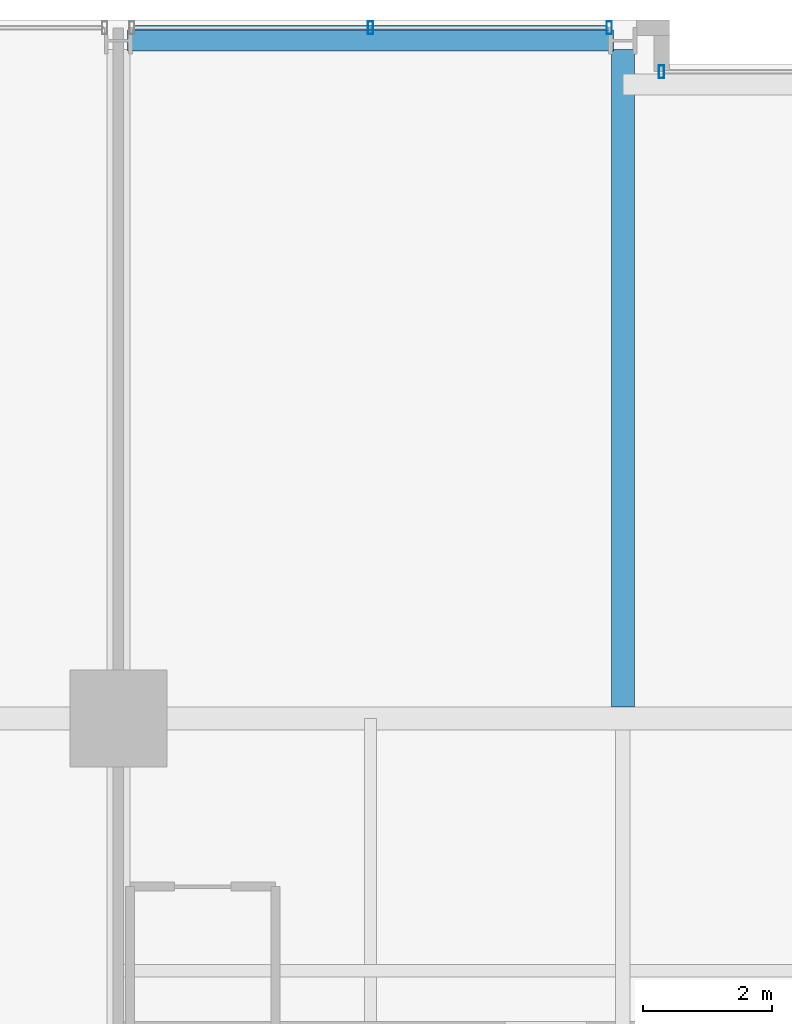
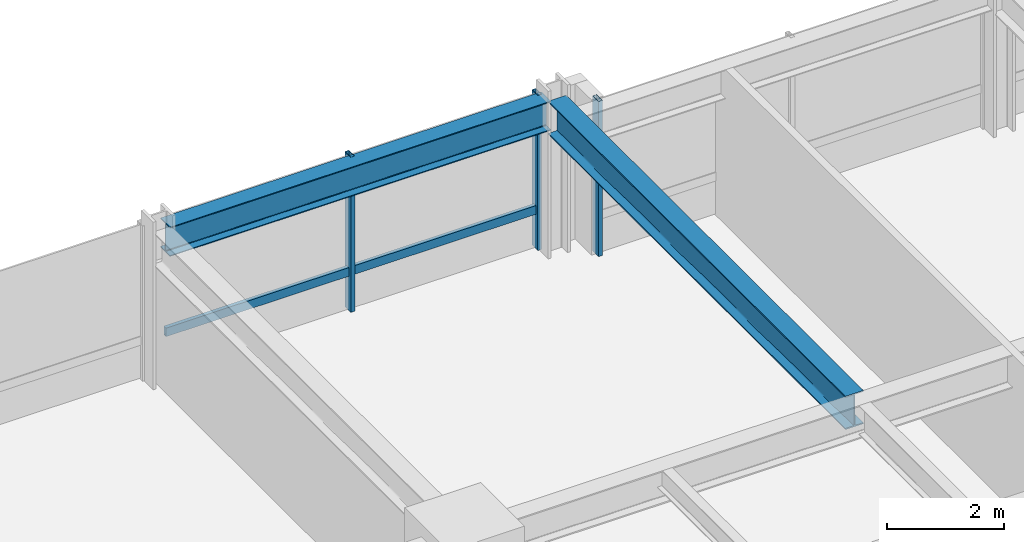
# One storey, part 21 of 33: 4 members, 2 beams, 2 elements without a shape of their own.
"""IFC4 building model written with IfcOpenShell, lengths in metres."""

from ifc_helpers import new_model, si_unit, direction, frame, origin, origin_2d, place, context, subcontext, project, spatial, hollow_rectangle, i_section, extrude, material, layer, layer_set, material_profile, profile_set, type_object, element, aggregate, save


model = new_model("IFC4")

# Units and contexts
model_context = context("Model", 3, precision=1e-05, world=origin(), true_north=direction((0.0, 1.0)))
body_context = subcontext(model_context, "Body", "Model", "MODEL_VIEW")
ifc_project = project(units=[si_unit("LENGTHUNIT", "METRE"), si_unit("AREAUNIT", "SQUARE_METRE"), si_unit("VOLUMEUNIT", "CUBIC_METRE"), si_unit("PLANEANGLEUNIT", "RADIAN"), si_unit("MASSUNIT", "GRAM", prefix="KILO")], contexts=[model_context])

# Site, building, storey
site_placement = place(None, origin())
site = spatial("IfcSite", under=ifc_project, at=site_placement, CompositionType="ELEMENT")
building_placement = place(site_placement, origin())
building = spatial("IfcBuilding", under=site, at=building_placement, Name="Drelvath Grand Hotel", CompositionType="ELEMENT")
storey_placement = place(building_placement, frame((0.0, 0.0, 119.800048828125)))
storey = spatial("IfcBuildingStorey", under=building, at=storey_placement, Name="L30", CompositionType="ELEMENT", Elevation=119.800048828125)

# Curtain wall, members
ifc_material_1 = material(Name="Champagne Bronze Anodised Aluminium Frame", Category="aluminium")
ifc_layer = layer(ifc_material_1, 0.199951171875)
ifc_layer_set = layer_set([ifc_layer], Name="Champagne Bronze Anodised Aluminium Frame")
curtain_wall_type = type_object("IfcCurtainWallType", Name="Stick Curtain Wall CW-03 Champagne Bronze Mid-Rise", PredefinedType="NOTDEFINED", material=ifc_layer_set)
curtain_wall_1_placement = place(storey_placement, origin())
curtain_wall_1 = element("IfcCurtainWall", 1, at=curtain_wall_1_placement, inside=storey, type_object=curtain_wall_type, Name="L30 CW-03 Curtain Wall CW03-L30-NW2", PredefinedType="NOTDEFINED")
ifc_material_profile_1 = material_profile(ifc_material_1, hollow_rectangle(XDim=0.074951171875, YDim=0.179931640625, WallThickness=0.0048828125, at=origin_2d()), Name="HSS180X75X5")
ifc_profile_set_1 = profile_set([ifc_material_profile_1], Name="Champagne Bronze Anodised Aluminium Frame")
member_type_1 = type_object("IfcMemberType", Name="Curtain Wall Horizontal Transom CW-03 HSS180X75X5", PredefinedType="USERDEFINED", material=ifc_profile_set_1)
member_1_placement = place(storey_placement, frame((-15.95068359375, 53.8798828125, 0.81005859375), z_axis=(1.0, 0.0, 0.0), x_axis=(0.0, 1.0, 0.0)))
member_1 = element("IfcMember", 2, at=member_1_placement, type_object=member_type_1, Name="CW03-L30-NW2 Sill Transom", ObjectType="TRANSOM", PredefinedType="USERDEFINED", context=body_context, shape_type="SweptSolid", body=[
    extrude(hollow_rectangle(XDim=0.074951171875, YDim=0.179931640625, WallThickness=0.0048828125, at=origin_2d()), origin(), (0.0, 0.0, 1.0), 7.30126953125),
])
ifc_material_profile_2 = material_profile(ifc_material_1, hollow_rectangle(XDim=0.080078125, YDim=0.199951171875, WallThickness=0.0048828125, at=origin_2d()), Name="HSS200X80X5")
ifc_profile_set_2 = profile_set([ifc_material_profile_2], Name="Champagne Bronze Anodised Aluminium Frame")
member_type_2 = type_object("IfcMemberType", Name="Curtain Wall Vertical Mullion CW-03 HSS200X80X5", PredefinedType="MULLION", material=ifc_profile_set_2)
member_2_placement = place(storey_placement, frame((-12.300048828125, 53.8798828125, 0.0), z_axis=(0.0, 0.0, 1.0), x_axis=(1.0, 0.0, 0.0)))
member_2 = element("IfcMember", 3, at=member_2_placement, type_object=member_type_2, Name="CW03-L30-NW2 Mullion 2", PredefinedType="MULLION", context=body_context, shape_type="SweptSolid", body=[
    extrude(hollow_rectangle(XDim=0.080078125, YDim=0.199951171875, WallThickness=0.0048828125, at=origin_2d()), origin(), (0.0, 0.0, 1.0), 3.239990234375),
])
member_3_placement = place(storey_placement, frame((-8.609375, 53.8798828125, 0.0), z_axis=(0.0, 0.0, 1.0), x_axis=(1.0, 0.0, 0.0)))
member_3 = element("IfcMember", 4, at=member_3_placement, type_object=member_type_2, Name="CW03-L30-NW2 Mullion 3", PredefinedType="MULLION", context=body_context, shape_type="SweptSolid", body=[
    extrude(hollow_rectangle(XDim=0.080078125, YDim=0.199951171875, WallThickness=0.0048828125, at=origin_2d()), origin(), (0.0, 0.0, 1.0), 3.239990234375),
])
aggregate(curtain_wall_1, [member_2, member_3, member_1])

# Curtain wall, member
curtain_wall_2_placement = place(storey_placement, origin())
curtain_wall_2 = element("IfcCurtainWall", 5, at=curtain_wall_2_placement, inside=storey, type_object=curtain_wall_type, Name="L30 CW-03 Curtain Wall CW03-L30-NM1", PredefinedType="NOTDEFINED")
member_4_placement = place(storey_placement, frame((-7.800048828125, 53.199951171875, 0.0), z_axis=(0.0, 0.0, 1.0), x_axis=(1.0, 0.0, 0.0)))
member_4 = element("IfcMember", 6, at=member_4_placement, type_object=member_type_2, Name="CW03-L30-NM1 Mullion 1", PredefinedType="MULLION", context=body_context, shape_type="SweptSolid", body=[
    extrude(hollow_rectangle(XDim=0.080078125, YDim=0.199951171875, WallThickness=0.0048828125, at=origin_2d()), origin(), (0.0, 0.0, 1.0), 3.239990234375),
])
aggregate(curtain_wall_2, [member_4])

# Beams
ifc_material_2 = material(Name="Steel ASTM A992 Gr 50", Category="steel")
ifc_material_profile_3 = material_profile(ifc_material_2, i_section(OverallWidth=0.323974609375, OverallDepth=0.611083984375, WebThickness=0.0126953125, FlangeThickness=0.01904296875, FilletRadius=0.02197265625, at=origin_2d()), Name="W24X104")
ifc_profile_set_3 = profile_set([ifc_material_profile_3], Name="Steel ASTM A992 Gr 50")
beam_type_1 = type_object("IfcBeamType", Name="Perimeter Spandrel Beam W24X104", PredefinedType="SPANDREL", material=ifc_profile_set_3)
beam_1_placement = place(storey_placement, frame((-16.06005859375, 53.679931640625, 2.9345703125), z_axis=(1.0, 0.0, 0.0), x_axis=(0.0, 1.0, 0.0)))
element("IfcBeam", 7, at=beam_1_placement, inside=storey, type_object=beam_type_1, Name="L30 Spandrel North W", PredefinedType="SPANDREL", context=body_context, shape_type="SweptSolid", body=[
    extrude(i_section(OverallWidth=0.323974609375, OverallDepth=0.611083984375, WebThickness=0.0126953125, FlangeThickness=0.01904296875, FilletRadius=0.02197265625, at=origin_2d()), origin(), (0.0, 0.0, 1.0), 7.52001953125),
])
ifc_material_profile_4 = material_profile(ifc_material_2, i_section(OverallWidth=0.354736328125, OverallDepth=0.695556640625, WebThickness=0.015380859375, FlangeThickness=0.025146484375, FilletRadius=0.02392578125, at=origin_2d()), Name="W27X146")
ifc_profile_set_4 = profile_set([ifc_material_profile_4], Name="Steel ASTM A992 Gr 50")
beam_type_2 = type_object("IfcBeamType", Name="Primary Floor Girder W27X146", PredefinedType="BEAM", material=ifc_profile_set_4)
beam_2_placement = place(storey_placement, frame((-8.39990234375, 43.37744140625, 2.892333984375), z_axis=(0.0, 1.0, 0.0), x_axis=(-1.0, 0.0, 0.0)))
element("IfcBeam", 8, at=beam_2_placement, inside=storey, type_object=beam_type_2, Name="L30 North Wing Girder 4", PredefinedType="BEAM", context=body_context, shape_type="SweptSolid", body=[
    extrude(i_section(OverallWidth=0.354736328125, OverallDepth=0.695556640625, WebThickness=0.015380859375, FlangeThickness=0.025146484375, FilletRadius=0.02392578125, at=origin_2d()), origin(), (0.0, 0.0, 1.0), 10.16259765625),
])

save(model, "model.ifc")
